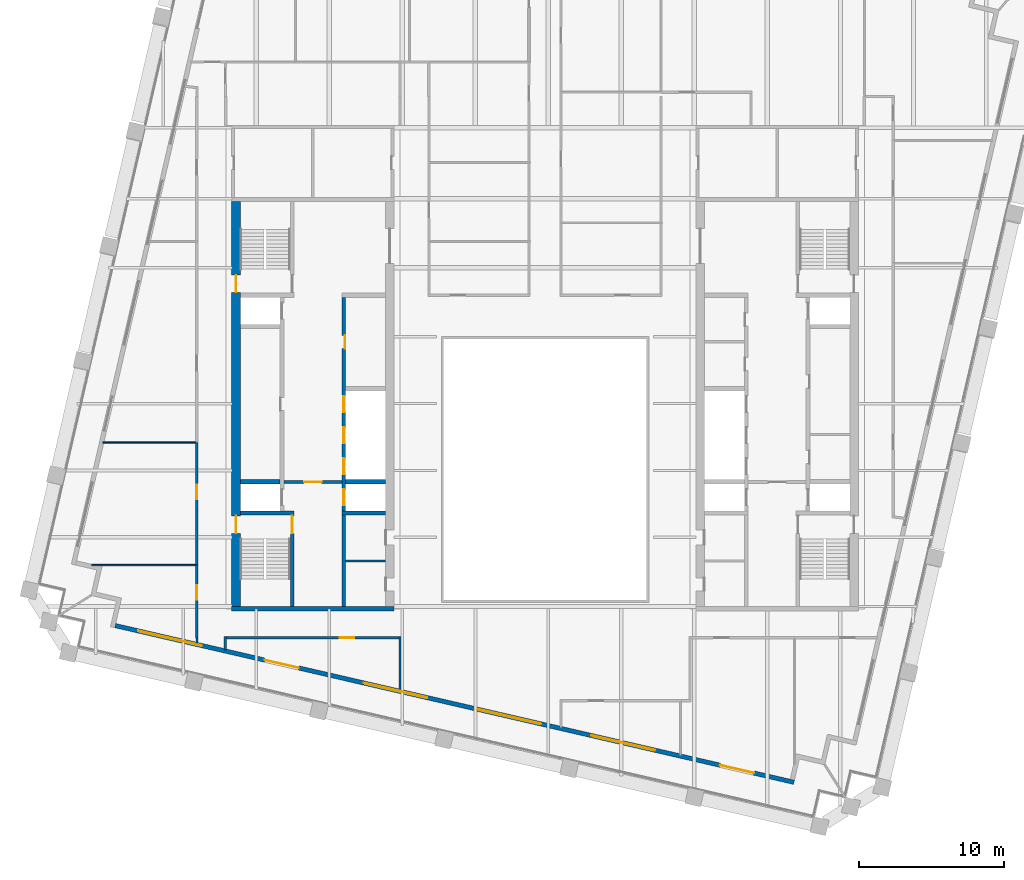
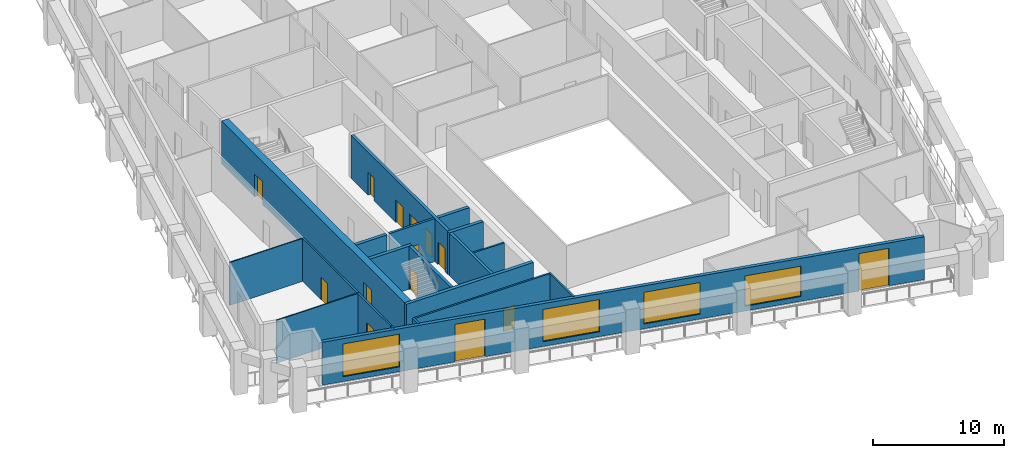
# One storey, part 4 of 11: 19 walls, 14 doors, 4 windows, 18 openings.
"""IFC4 building model written with IfcOpenShell, lengths in metres."""

from ifc_helpers import new_model, si_unit, direction, frame, frame_2d, origin, place, context, subcontext, project, spatial, rectangle, extrude, material, layer, layer_set, type_object, element, fill, save


model = new_model("IFC4")

# Units and contexts
model_context = context("Model", 3, precision=1e-05, world=origin(), true_north=direction((0.0, 1.0)))
body_context = subcontext(model_context, "Body", "Model", "MODEL_VIEW")
ifc_project = project(units=[si_unit("LENGTHUNIT", "METRE"), si_unit("AREAUNIT", "SQUARE_METRE"), si_unit("VOLUMEUNIT", "CUBIC_METRE"), si_unit("PLANEANGLEUNIT", "RADIAN"), si_unit("MASSUNIT", "GRAM", prefix="KILO")], contexts=[model_context])

# Site, building, storey
site_placement = place(None, origin())
site = spatial("IfcSite", under=ifc_project, at=site_placement, CompositionType="ELEMENT")
building_placement = place(site_placement, origin())
building = spatial("IfcBuilding", under=site, at=building_placement, Name="Ogive Exchange Tower", CompositionType="ELEMENT")
storey_placement = place(building_placement, frame((0.0, 0.0, 259.800048828125)))
storey = spatial("IfcBuildingStorey", under=building, at=storey_placement, Name="L56", CompositionType="ELEMENT", Elevation=259.800048828125)

# Wall
ifc_material_1 = material(Name="Gypsum board partition")
ifc_layer_1 = layer(ifc_material_1, 0.14990234375)
ifc_layer_set_1 = layer_set([ifc_layer_1], Name="Core room partition 150 gypsum")
wall_type_1 = type_object("IfcWallType", Name="Core room partition 150 gypsum", PredefinedType="PARTITIONING", material=ifc_layer_set_1)
wall_1_placement = place(storey_placement, frame((-13.75, 0.699951171875, 0.0), z_axis=(0.0, 0.0, 1.0), x_axis=(1.0, 0.0, 0.0)))
element("IfcWall", 1, at=wall_1_placement, inside=storey, type_object=wall_type_1, Name="W south room partition", PredefinedType="PARTITIONING", context=body_context, shape_type="SweptSolid", body=[
    extrude(rectangle(XDim=2.75, YDim=0.14990234375, at=frame_2d((1.375, 0.0))), origin(), (0.0, 0.0, 1.0), 4.0),
])

# Wall, opening, door
ifc_material_2 = material(Name="Fire partition EI 60 150")
ifc_layer_2 = layer(ifc_material_2, 0.14990234375)
ifc_layer_set_2 = layer_set([ifc_layer_2], Name="Fire partition EI 60 150")
wall_type_2 = type_object("IfcWallType", Name="Fire partition EI 60 150", PredefinedType="PARTITIONING", material=ifc_layer_set_2)
wall_2_placement = place(storey_placement, frame((-24.0, -4.60009765625, 0.0), z_axis=(0.0, 0.0, 1.0), x_axis=(0.0, 1.0, 0.0)))
wall_2 = element("IfcWall", 2, at=wall_2_placement, inside=storey, type_object=wall_type_2, Name="L56-PWL-003", PredefinedType="PARTITIONING", context=body_context, shape_type="SweptSolid", body=[
    extrude(rectangle(XDim=5.06005859375, YDim=0.14990234375, at=frame_2d((2.530029296875, 0.0))), origin(), (0.0, 0.0, 1.0), 4.0),
])
opening_1_placement = place(wall_2_placement, frame((2.610107421875, 0.0, 0.0)))
opening_1 = element("IfcOpeningElement", 3, at=opening_1_placement, cuts=wall_2, Name="Opening L56-I15", PredefinedType="OPENING", context=body_context, shape_type="SweptSolid", body=[
    extrude(rectangle(XDim=1.0, YDim=2.10009765625, at=frame_2d((0.5, 1.050048828125))), frame((0.0, 0.0849609375, 0.0), z_axis=(0.0, -1.0, 0.0), x_axis=(1.0, 0.0, 0.0)), (0.0, 0.0, 1.0), 0.169921875),
])
ifc_material_3 = material(Name="Fire door FD 30S 1000 x 2100")
door_type_1 = type_object("IfcDoorType", Name="Fire door FD 30S 1000 x 2100", OperationType="NOTDEFINED", PredefinedType="DOOR", material=ifc_material_3)
door_1_placement = place(opening_1_placement, origin())
door_1 = element("IfcDoor", 4, at=door_1_placement, inside=storey, type_object=door_type_1, Name="L56-IDR-015", ObjectType="DT3", OperationType="SINGLE_SWING_LEFT", OverallHeight=2.10009765625, OverallWidth=1.0, PredefinedType="DOOR", context=body_context, shape_type="SweptSolid", body=[
    extrude(rectangle(XDim=1.0, YDim=2.10009765625, at=frame_2d((0.5, 1.050048828125))), frame((0.0, 0.02490234375, 0.0), z_axis=(0.0, -1.0, 0.0), x_axis=(1.0, 0.0, 0.0)), (0.0, 0.0, 1.0), 0.050048828125),
])
fill(opening_1, door_1)

wall_3_placement = place(storey_placement, frame((-24.0, 0.409912109375, 0.0), z_axis=(0.0, 0.0, 1.0), x_axis=(0.0, 1.0, 0.0)))
wall_3 = element("IfcWall", 5, at=wall_3_placement, inside=storey, type_object=wall_type_2, Name="L56-PWL-005", PredefinedType="PARTITIONING", context=body_context, shape_type="SweptSolid", body=[
    extrude(rectangle(XDim=8.4501953125, YDim=0.14990234375, at=frame_2d((4.22509765625, 0.0))), origin(), (0.0, 0.0, 1.0), 4.0),
])
opening_2_placement = place(wall_3_placement, frame((4.550048828125, 0.0, 0.0)))
opening_2 = element("IfcOpeningElement", 6, at=opening_2_placement, cuts=wall_3, Name="Opening L56-I14", PredefinedType="OPENING", context=body_context, shape_type="SweptSolid", body=[
    extrude(rectangle(XDim=1.0, YDim=2.10009765625, at=frame_2d((0.5, 1.050048828125))), frame((0.0, 0.0849609375, 0.0), z_axis=(0.0, -1.0, 0.0), x_axis=(1.0, 0.0, 0.0)), (0.0, 0.0, 1.0), 0.169921875),
])
door_2_placement = place(opening_2_placement, origin())
door_2 = element("IfcDoor", 7, at=door_2_placement, inside=storey, type_object=door_type_1, Name="L56-IDR-014", ObjectType="DT3", OperationType="SINGLE_SWING_LEFT", OverallHeight=2.10009765625, OverallWidth=1.0, PredefinedType="DOOR", context=body_context, shape_type="SweptSolid", body=[
    extrude(rectangle(XDim=1.0, YDim=2.10009765625, at=frame_2d((0.5, 1.050048828125))), frame((0.0, 0.02490234375, 0.0), z_axis=(0.0, -1.0, 0.0), x_axis=(1.0, 0.0, 0.0)), (0.0, 0.0, 1.0), 0.050048828125),
])
fill(opening_2, door_2)

# Walls
wall_4_placement = place(storey_placement, frame((-23.989990234375, -4.986083984375, 0.0), z_axis=(0.0, 0.0, 1.0), x_axis=(0.0, 1.0, 0.0)))
element("IfcWall", 8, at=wall_4_placement, inside=storey, type_object=wall_type_2, Name="L56-PWL-009", PredefinedType="PARTITIONING", context=body_context, shape_type="SweptSolid", body=[
    extrude(rectangle(XDim=0.385986328125, YDim=0.14990234375, at=frame_2d((0.19287109375, 0.0))), origin(), (0.0, 0.0, 1.0), 4.0),
])
wall_5_placement = place(storey_placement, frame((-22.030029296875, -4.52490234375, 0.0), z_axis=(0.0, 0.0, 1.0), x_axis=(0.0, -1.0, 0.0)))
element("IfcWall", 9, at=wall_5_placement, inside=storey, type_object=wall_type_2, Name="L56-PWL-013", PredefinedType="PARTITIONING", context=body_context, shape_type="SweptSolid", body=[
    extrude(rectangle(XDim=0.9130859375, YDim=0.14990234375, at=frame_2d((0.45654296875, 0.0))), origin(), (0.0, 0.0, 1.0), 4.0),
])
wall_6_placement = place(storey_placement, frame((-10.0, -8.216064453125, 0.0), z_axis=(0.0, 0.0, 1.0), x_axis=(0.0, 1.0, 0.0)))
element("IfcWall", 10, at=wall_6_placement, inside=storey, type_object=wall_type_2, Name="L56-PWL-022", PredefinedType="PARTITIONING", context=body_context, shape_type="SweptSolid", body=[
    extrude(rectangle(XDim=3.691162109375, YDim=0.14990234375, at=frame_2d((1.845703125, 0.0))), origin(), (0.0, 0.0, 1.0), 4.0),
])

# Wall, opening, door
wall_7_placement = place(storey_placement, frame((-10.074951171875, -4.60009765625, 0.0), z_axis=(0.0, 0.0, 1.0), x_axis=(-1.0, 0.0, 0.0)))
wall_7 = element("IfcWall", 11, at=wall_7_placement, inside=storey, type_object=wall_type_2, Name="L56-PWL-023", PredefinedType="PARTITIONING", context=body_context, shape_type="SweptSolid", body=[
    extrude(rectangle(XDim=11.880126953125, YDim=0.14990234375, at=frame_2d((5.93994140625, 0.0))), origin(), (0.0, 0.0, 1.0), 4.0),
])
opening_3_placement = place(wall_7_placement, frame((3.054931640625, 0.0, 0.0)))
opening_3 = element("IfcOpeningElement", 12, at=opening_3_placement, cuts=wall_7, Name="Opening L56-I13", PredefinedType="OPENING", context=body_context, shape_type="SweptSolid", body=[
    extrude(rectangle(XDim=1.0, YDim=2.10009765625, at=frame_2d((0.5, 1.050048828125))), frame((0.0, 0.0849609375, 0.0), z_axis=(0.0, -1.0, 0.0), x_axis=(1.0, 0.0, 0.0)), (0.0, 0.0, 1.0), 0.169921875),
])
door_3_placement = place(opening_3_placement, origin())
door_3 = element("IfcDoor", 13, at=door_3_placement, inside=storey, type_object=door_type_1, Name="L56-IDR-013", ObjectType="DT3", OperationType="SINGLE_SWING_RIGHT", OverallHeight=2.10009765625, OverallWidth=1.0, PredefinedType="DOOR", context=body_context, shape_type="SweptSolid", body=[
    extrude(rectangle(XDim=1.0, YDim=2.10009765625, at=frame_2d((0.5, 1.050048828125))), frame((0.0, 0.02490234375, 0.0), z_axis=(0.0, -1.0, 0.0), x_axis=(1.0, 0.0, 0.0)), (0.0, 0.0, 1.0), 0.050048828125),
])
fill(opening_3, door_3)

# Wall, openings, doors, windows
ifc_material_4 = material(Name="Precast concrete C40/50", Category="concrete")
ifc_layer_3 = layer(ifc_material_4, 0.300048828125)
ifc_layer_set_3 = layer_set([ifc_layer_3], Name="Limestone-faced wall 300")
wall_type_3 = type_object("IfcWallType", Name="Limestone-faced wall 300", PredefinedType="STANDARD", material=ifc_layer_set_3)
wall_8_placement = place(storey_placement, frame((-29.6162109375, -3.75830078125, 0.0), z_axis=(0.0, 0.0, 1.0), x_axis=(0.974370532314, -0.224949029246, 0.0)))
wall_8 = element("IfcWall", 14, at=wall_8_placement, inside=storey, type_object=wall_type_3, Name="External wall S1", PredefinedType="STANDARD", context=body_context, shape_type="SweptSolid", body=[
    extrude(rectangle(XDim=48.000244140625, YDim=0.300048828125, at=frame_2d((24.0, 0.0))), origin(), (0.0, 0.0, 1.0), 4.0),
])
opening_4_placement = place(wall_8_placement, frame((1.625, 0.0, 0.449951171875)))
opening_4 = element("IfcOpeningElement", 15, at=opening_4_placement, cuts=wall_8, Name="Opening W1", PredefinedType="OPENING", context=body_context, shape_type="SweptSolid", body=[
    extrude(rectangle(XDim=4.5, YDim=3.050048828125, at=frame_2d((2.25, 1.52490234375))), frame((0.0, 0.159912109375, 0.0), z_axis=(0.0, -1.0, 0.0), x_axis=(1.0, 0.0, 0.0)), (0.0, 0.0, 1.0), 0.320068359375),
])
opening_5_placement = place(wall_8_placement, frame((10.574951171875, 0.0, 0.0)))
opening_5 = element("IfcOpeningElement", 16, at=opening_5_placement, cuts=wall_8, Name="Opening D1", PredefinedType="OPENING", context=body_context, shape_type="SweptSolid", body=[
    extrude(rectangle(XDim=2.39990234375, YDim=3.5, at=frame_2d((1.199951171875, 1.75))), frame((0.0, 0.159912109375, 0.0), z_axis=(0.0, -1.0, 0.0), x_axis=(1.0, 0.0, 0.0)), (0.0, 0.0, 1.0), 0.320068359375),
])
opening_6_placement = place(wall_8_placement, frame((17.574951171875, 0.0, 0.449951171875)))
opening_6 = element("IfcOpeningElement", 17, at=opening_6_placement, cuts=wall_8, Name="Opening W1A", PredefinedType="OPENING", context=body_context, shape_type="SweptSolid", body=[
    extrude(rectangle(XDim=4.5, YDim=3.0, at=frame_2d((2.25, 1.5))), frame((0.0, 0.159912109375, 0.0), z_axis=(0.0, -1.0, 0.0), x_axis=(1.0, 0.0, 0.0)), (0.0, 0.0, 1.0), 0.320068359375),
])
opening_7_placement = place(wall_8_placement, frame((25.625, 0.0, 0.449951171875)))
opening_7 = element("IfcOpeningElement", 18, at=opening_7_placement, cuts=wall_8, Name="Opening W1B", PredefinedType="OPENING", context=body_context, shape_type="SweptSolid", body=[
    extrude(rectangle(XDim=4.5, YDim=2.949951171875, at=frame_2d((2.25, 1.47509765625))), frame((0.0, 0.159912109375, 0.0), z_axis=(0.0, -1.0, 0.0), x_axis=(1.0, 0.0, 0.0)), (0.0, 0.0, 1.0), 0.320068359375),
])
opening_8_placement = place(wall_8_placement, frame((33.675048828125, 0.0, 0.449951171875)))
opening_8 = element("IfcOpeningElement", 19, at=opening_8_placement, cuts=wall_8, Name="Opening W1E", PredefinedType="OPENING", context=body_context, shape_type="SweptSolid", body=[
    extrude(rectangle(XDim=4.5, YDim=2.824951171875, at=frame_2d((2.25, 1.41259765625))), frame((0.0, 0.159912109375, 0.0), z_axis=(0.0, -1.0, 0.0), x_axis=(1.0, 0.0, 0.0)), (0.0, 0.0, 1.0), 0.320068359375),
])
opening_9_placement = place(wall_8_placement, frame((42.77490234375, 0.0, 0.0)))
opening_9 = element("IfcOpeningElement", 20, at=opening_9_placement, cuts=wall_8, Name="Opening D1", PredefinedType="OPENING", context=body_context, shape_type="SweptSolid", body=[
    extrude(rectangle(XDim=2.39990234375, YDim=3.5, at=frame_2d((1.199951171875, 1.75))), frame((0.0, 0.159912109375, 0.0), z_axis=(0.0, -1.0, 0.0), x_axis=(1.0, 0.0, 0.0)), (0.0, 0.0, 1.0), 0.320068359375),
])
ifc_material_5 = material(Name="Clear glass in bronze frame", Category="glass")
door_type_2 = type_object("IfcDoorType", Name="Sliding loggia door 2400 x 3500", OperationType="DOUBLE_DOOR_SLIDING", PredefinedType="DOOR", material=ifc_material_5)
door_4_placement = place(opening_5_placement, origin())
door_4 = element("IfcDoor", 21, at=door_4_placement, inside=storey, type_object=door_type_2, Name="Loggia door S01", OperationType="DOUBLE_DOOR_SLIDING", OverallHeight=3.5, OverallWidth=2.39990234375, PredefinedType="DOOR", context=body_context, shape_type="SweptSolid", body=[
    extrude(rectangle(XDim=2.39990234375, YDim=3.5, at=frame_2d((1.199951171875, 1.75))), frame((0.0, 0.02490234375, 0.0), z_axis=(0.0, -1.0, 0.0), x_axis=(1.0, 0.0, 0.0)), (0.0, 0.0, 1.0), 0.050048828125),
])
fill(opening_5, door_4)
door_5_placement = place(opening_9_placement, origin())
door_5 = element("IfcDoor", 22, at=door_5_placement, inside=storey, type_object=door_type_2, Name="Loggia door S05", OperationType="DOUBLE_DOOR_SLIDING", OverallHeight=3.5, OverallWidth=2.39990234375, PredefinedType="DOOR", context=body_context, shape_type="SweptSolid", body=[
    extrude(rectangle(XDim=2.39990234375, YDim=3.5, at=frame_2d((1.199951171875, 1.75))), frame((0.0, 0.02490234375, 0.0), z_axis=(0.0, -1.0, 0.0), x_axis=(1.0, 0.0, 0.0)), (0.0, 0.0, 1.0), 0.050048828125),
])
fill(opening_9, door_5)
window_type_1 = type_object("IfcWindowType", Name="Twin lancet window 4500 x 2825", PartitioningType="DOUBLE_PANEL_VERTICAL", PredefinedType="WINDOW", material=ifc_material_5)
window_1_placement = place(opening_8_placement, origin())
window_1 = element("IfcWindow", 23, at=window_1_placement, inside=storey, type_object=window_type_1, Name="Window S04", OverallHeight=2.824951171875, OverallWidth=4.5, PartitioningType="DOUBLE_PANEL_VERTICAL", PredefinedType="WINDOW", context=body_context, shape_type="SweptSolid", body=[
    extrude(rectangle(XDim=4.5, YDim=2.824951171875, at=frame_2d((2.25, 1.41259765625))), frame((0.0, 0.030029296875, 0.0), z_axis=(0.0, -1.0, 0.0), x_axis=(1.0, 0.0, 0.0)), (0.0, 0.0, 1.0), 0.06005859375),
])
fill(opening_8, window_1)
window_type_2 = type_object("IfcWindowType", Name="Twin lancet window 4500 x 2950", PartitioningType="DOUBLE_PANEL_VERTICAL", PredefinedType="WINDOW", material=ifc_material_5)
window_2_placement = place(opening_7_placement, origin())
window_2 = element("IfcWindow", 24, at=window_2_placement, inside=storey, type_object=window_type_2, Name="Window S03", OverallHeight=2.949951171875, OverallWidth=4.5, PartitioningType="DOUBLE_PANEL_VERTICAL", PredefinedType="WINDOW", context=body_context, shape_type="SweptSolid", body=[
    extrude(rectangle(XDim=4.5, YDim=2.949951171875, at=frame_2d((2.25, 1.47509765625))), frame((0.0, 0.030029296875, 0.0), z_axis=(0.0, -1.0, 0.0), x_axis=(1.0, 0.0, 0.0)), (0.0, 0.0, 1.0), 0.06005859375),
])
fill(opening_7, window_2)
window_type_3 = type_object("IfcWindowType", Name="Twin lancet window 4500 x 3000", PartitioningType="DOUBLE_PANEL_VERTICAL", PredefinedType="WINDOW", material=ifc_material_5)
window_3_placement = place(opening_6_placement, origin())
window_3 = element("IfcWindow", 25, at=window_3_placement, inside=storey, type_object=window_type_3, Name="Window S02", OverallHeight=3.0, OverallWidth=4.5, PartitioningType="DOUBLE_PANEL_VERTICAL", PredefinedType="WINDOW", context=body_context, shape_type="SweptSolid", body=[
    extrude(rectangle(XDim=4.5, YDim=3.0, at=frame_2d((2.25, 1.5))), frame((0.0, 0.030029296875, 0.0), z_axis=(0.0, -1.0, 0.0), x_axis=(1.0, 0.0, 0.0)), (0.0, 0.0, 1.0), 0.06005859375),
])
fill(opening_6, window_3)
window_type_4 = type_object("IfcWindowType", Name="Twin lancet window 4500 x 3050", PartitioningType="DOUBLE_PANEL_VERTICAL", PredefinedType="WINDOW", material=ifc_material_5)
window_4_placement = place(opening_4_placement, origin())
window_4 = element("IfcWindow", 26, at=window_4_placement, inside=storey, type_object=window_type_4, Name="Window S00", OverallHeight=3.050048828125, OverallWidth=4.5, PartitioningType="DOUBLE_PANEL_VERTICAL", PredefinedType="WINDOW", context=body_context, shape_type="SweptSolid", body=[
    extrude(rectangle(XDim=4.5, YDim=3.050048828125, at=frame_2d((2.25, 1.52490234375))), frame((0.0, 0.030029296875, 0.0), z_axis=(0.0, -1.0, 0.0), x_axis=(1.0, 0.0, 0.0)), (0.0, 0.0, 1.0), 0.06005859375),
])
fill(opening_4, window_4)

# Walls
ifc_material_6 = material(Name="Partition 100 gypsum")
ifc_layer_4 = layer(ifc_material_6, 0.10009765625)
ifc_layer_set_4 = layer_set([ifc_layer_4], Name="Partition 100 gypsum")
wall_type_4 = type_object("IfcWallType", Name="Partition 100 gypsum", PredefinedType="PARTITIONING", material=ifc_layer_set_4)
wall_9_placement = place(storey_placement, frame((-24.074951171875, 0.409912109375, 0.0), z_axis=(0.0, 0.0, 1.0), x_axis=(-1.0, 0.0, 0.0)))
element("IfcWall", 27, at=wall_9_placement, inside=storey, type_object=wall_type_4, Name="L56-PWL-004", PredefinedType="PARTITIONING", context=body_context, shape_type="SweptSolid", body=[
    extrude(rectangle(XDim=7.170166015625, YDim=0.10009765625, at=frame_2d((3.5849609375, 0.0))), origin(), (0.0, 0.0, 1.0), 4.0),
])
wall_10_placement = place(storey_placement, frame((-24.074951171875, 8.860107421875, 0.0), z_axis=(0.0, 0.0, 1.0), x_axis=(-1.0, 0.0, 0.0)))
element("IfcWall", 28, at=wall_10_placement, inside=storey, type_object=wall_type_4, Name="L56-PWL-006", PredefinedType="PARTITIONING", context=body_context, shape_type="SweptSolid", body=[
    extrude(rectangle(XDim=6.405029296875, YDim=0.10009765625, at=frame_2d((3.20263671875, 0.0))), origin(), (0.0, 0.0, 1.0), 4.0),
])

# Wall, opening, door
ifc_material_7 = material(Name="Concrete C70/85", Category="concrete")
ifc_layer_5 = layer(ifc_material_7, 0.199951171875)
ifc_layer_set_5 = layer_set([ifc_layer_5], Name="RC core wall 200 C70/85")
wall_type_5 = type_object("IfcWallType", Name="RC core wall 200 C70/85", PredefinedType="SHEAR", material=ifc_layer_set_5)
wall_11_placement = place(storey_placement, frame((-18.0, 6.142822265625, 0.0), z_axis=(0.0, 0.0, 1.0), x_axis=(1.0, 0.0, 0.0)))
wall_11 = element("IfcWall", 29, at=wall_11_placement, inside=storey, type_object=wall_type_5, Name="W firefighting lobby wall", PredefinedType="SHEAR", context=body_context, shape_type="SweptSolid", body=[
    extrude(rectangle(XDim=4.0, YDim=0.199951171875, at=frame_2d((2.0, 0.0))), origin(), (0.0, 0.0, 1.0), 4.0),
])
opening_10_placement = place(wall_11_placement, frame((1.39990234375, 0.0, 0.0)))
opening_10 = element("IfcOpeningElement", 30, at=opening_10_placement, cuts=wall_11, Name="Opening L56-C09", PredefinedType="OPENING", context=body_context, shape_type="SweptSolid", body=[
    extrude(rectangle(XDim=1.199951171875, YDim=2.10009765625, at=frame_2d((0.60009765625, 1.050048828125))), frame((0.0, 0.10986328125, 0.0), z_axis=(0.0, -1.0, 0.0), x_axis=(1.0, 0.0, 0.0)), (0.0, 0.0, 1.0), 0.219970703125),
])
ifc_material_8 = material(Name="Steel fire door", Category="steel")
door_type_3 = type_object("IfcDoorType", Name="Firefighting lobby door FD60 1200 x 2100", OperationType="NOTDEFINED", PredefinedType="DOOR", material=ifc_material_8)
door_6_placement = place(opening_10_placement, frame((1.199951171875, 0.0, 0.0), z_axis=(0.0, 0.0, 1.0), x_axis=(-1.0, 0.0, 0.0)))
door_6 = element("IfcDoor", 31, at=door_6_placement, inside=storey, type_object=door_type_3, Name="Firefighting lobby door", ObjectType="CD3", OperationType="SINGLE_SWING_LEFT", OverallHeight=2.10009765625, OverallWidth=1.199951171875, PredefinedType="DOOR", context=body_context, shape_type="SweptSolid", body=[
    extrude(rectangle(XDim=1.199951171875, YDim=2.10009765625, at=frame_2d((0.60009765625, 1.050048828125))), frame((0.0, 0.02490234375, 0.0), z_axis=(0.0, -1.0, 0.0), x_axis=(1.0, 0.0, 0.0)), (0.0, 0.0, 1.0), 0.050048828125),
])
fill(opening_10, door_6)

ifc_layer_6 = layer(ifc_material_7, 0.25)
ifc_layer_set_6 = layer_set([ifc_layer_6], Name="RC core wall 250 C70/85")
wall_type_6 = type_object("IfcWallType", Name="RC core wall 250 C70/85", PredefinedType="SHEAR", material=ifc_layer_set_6)
wall_12_placement = place(storey_placement, frame((-17.425048828125, -2.449951171875, 0.0), z_axis=(0.0, 0.0, 1.0), x_axis=(0.0, 1.0, 0.0)))
wall_12 = element("IfcWall", 32, at=wall_12_placement, inside=storey, type_object=wall_type_6, Name="W stair S front wall", PredefinedType="SHEAR", context=body_context, shape_type="SweptSolid", body=[
    extrude(rectangle(XDim=6.300048828125, YDim=0.25, at=frame_2d((3.14990234375, 0.0))), origin(), (0.0, 0.0, 1.0), 4.0),
])
opening_11_placement = place(wall_12_placement, frame((5.050048828125, 0.0, 0.0)))
opening_11 = element("IfcOpeningElement", 33, at=opening_11_placement, cuts=wall_12, Name="Opening L56-C11", PredefinedType="OPENING", context=body_context, shape_type="SweptSolid", body=[
    extrude(rectangle(XDim=1.199951171875, YDim=2.10009765625, at=frame_2d((0.60009765625, 1.050048828125))), frame((0.0, 0.135009765625, 0.0), z_axis=(0.0, -1.0, 0.0), x_axis=(1.0, 0.0, 0.0)), (0.0, 0.0, 1.0), 0.27001953125),
])
door_type_4 = type_object("IfcDoorType", Name="Stair door FD90 1200 x 2100", OperationType="NOTDEFINED", PredefinedType="DOOR", material=ifc_material_8)
door_7_placement = place(opening_11_placement, origin())
door_7 = element("IfcDoor", 34, at=door_7_placement, inside=storey, type_object=door_type_4, Name="Stair door", ObjectType="CD5", OperationType="SINGLE_SWING_LEFT", OverallHeight=2.10009765625, OverallWidth=1.199951171875, PredefinedType="DOOR", context=body_context, shape_type="SweptSolid", body=[
    extrude(rectangle(XDim=1.199951171875, YDim=2.10009765625, at=frame_2d((0.60009765625, 1.050048828125))), frame((0.0, 0.02490234375, 0.0), z_axis=(0.0, -1.0, 0.0), x_axis=(1.0, 0.0, 0.0)), (0.0, 0.0, 1.0), 0.050048828125),
])
fill(opening_11, door_7)

# Wall, openings, doors
wall_13_placement = place(storey_placement, frame((-13.875, -2.449951171875, 0.0), z_axis=(0.0, 0.0, 1.0), x_axis=(0.0, 1.0, 0.0)))
wall_13 = element("IfcWall", 35, at=wall_13_placement, inside=storey, type_object=wall_type_6, Name="W row B front wall", PredefinedType="SHEAR", context=body_context, shape_type="SweptSolid", body=[
    extrude(rectangle(XDim=21.300048828125, YDim=0.25, at=frame_2d((10.64990234375, 0.0))), origin(), (0.0, 0.0, 1.0), 4.0),
])
opening_12_placement = place(wall_13_placement, frame((17.78564453125, 0.0, 0.0)))
opening_12 = element("IfcOpeningElement", 36, at=opening_12_placement, cuts=wall_13, Name="Opening L56-C04", PredefinedType="OPENING", context=body_context, shape_type="SweptSolid", body=[
    extrude(rectangle(XDim=0.89990234375, YDim=2.10009765625, at=frame_2d((0.449951171875, 1.050048828125))), frame((0.0, 0.135009765625, 0.0), z_axis=(0.0, -1.0, 0.0), x_axis=(1.0, 0.0, 0.0)), (0.0, 0.0, 1.0), 0.27001953125),
])
opening_13_placement = place(wall_13_placement, frame((6.971435546875, 0.0, 0.0)))
opening_13 = element("IfcOpeningElement", 37, at=opening_13_placement, cuts=wall_13, Name="Opening L56-C05", PredefinedType="OPENING", context=body_context, shape_type="SweptSolid", body=[
    extrude(rectangle(XDim=1.10009765625, YDim=2.10009765625, at=frame_2d((0.550048828125, 1.050048828125))), frame((0.0, 0.135009765625, 0.0), z_axis=(0.0, -1.0, 0.0), x_axis=(1.0, 0.0, 0.0)), (0.0, 0.0, 1.0), 0.27001953125),
])
opening_14_placement = place(wall_13_placement, frame((9.1142578125, 0.0, 0.0)))
opening_14 = element("IfcOpeningElement", 38, at=opening_14_placement, cuts=wall_13, Name="Opening L56-C06", PredefinedType="OPENING", context=body_context, shape_type="SweptSolid", body=[
    extrude(rectangle(XDim=1.10009765625, YDim=2.10009765625, at=frame_2d((0.550048828125, 1.050048828125))), frame((0.0, 0.135009765625, 0.0), z_axis=(0.0, -1.0, 0.0), x_axis=(1.0, 0.0, 0.0)), (0.0, 0.0, 1.0), 0.27001953125),
])
opening_15_placement = place(wall_13_placement, frame((11.257080078125, 0.0, 0.0)))
opening_15 = element("IfcOpeningElement", 39, at=opening_15_placement, cuts=wall_13, Name="Opening L56-C07", PredefinedType="OPENING", context=body_context, shape_type="SweptSolid", body=[
    extrude(rectangle(XDim=1.10009765625, YDim=2.10009765625, at=frame_2d((0.550048828125, 1.050048828125))), frame((0.0, 0.135009765625, 0.0), z_axis=(0.0, -1.0, 0.0), x_axis=(1.0, 0.0, 0.0)), (0.0, 0.0, 1.0), 0.27001953125),
])
opening_16_placement = place(wall_13_placement, frame((13.39990234375, 0.0, 0.0)))
opening_16 = element("IfcOpeningElement", 40, at=opening_16_placement, cuts=wall_13, Name="Opening L56-C08", PredefinedType="OPENING", context=body_context, shape_type="SweptSolid", body=[
    extrude(rectangle(XDim=1.10009765625, YDim=2.10009765625, at=frame_2d((0.550048828125, 1.050048828125))), frame((0.0, 0.135009765625, 0.0), z_axis=(0.0, -1.0, 0.0), x_axis=(1.0, 0.0, 0.0)), (0.0, 0.0, 1.0), 0.27001953125),
])
ifc_material_9 = material(Name="Stainless steel", Category="steel")
door_type_5 = type_object("IfcDoorType", Name="Lift landing door FD90 1100 x 2100", OperationType="SLIDING_TO_LEFT", PredefinedType="DOOR", material=ifc_material_9)
door_8_placement = place(opening_13_placement, origin())
door_8 = element("IfcDoor", 41, at=door_8_placement, inside=storey, type_object=door_type_5, Name="Lift landing door SV1", ObjectType="LD", OperationType="SLIDING_TO_LEFT", OverallHeight=2.10009765625, OverallWidth=1.10009765625, PredefinedType="DOOR", context=body_context, shape_type="SweptSolid", body=[
    extrude(rectangle(XDim=1.10009765625, YDim=2.10009765625, at=frame_2d((0.550048828125, 1.050048828125))), frame((0.0, 0.02490234375, 0.0), z_axis=(0.0, -1.0, 0.0), x_axis=(1.0, 0.0, 0.0)), (0.0, 0.0, 1.0), 0.050048828125),
])
fill(opening_13, door_8)
door_9_placement = place(opening_14_placement, origin())
door_9 = element("IfcDoor", 42, at=door_9_placement, inside=storey, type_object=door_type_5, Name="Lift landing door W-M1", ObjectType="LD", OperationType="SLIDING_TO_LEFT", OverallHeight=2.10009765625, OverallWidth=1.10009765625, PredefinedType="DOOR", context=body_context, shape_type="SweptSolid", body=[
    extrude(rectangle(XDim=1.10009765625, YDim=2.10009765625, at=frame_2d((0.550048828125, 1.050048828125))), frame((0.0, 0.02490234375, 0.0), z_axis=(0.0, -1.0, 0.0), x_axis=(1.0, 0.0, 0.0)), (0.0, 0.0, 1.0), 0.050048828125),
])
fill(opening_14, door_9)
door_10_placement = place(opening_15_placement, origin())
door_10 = element("IfcDoor", 43, at=door_10_placement, inside=storey, type_object=door_type_5, Name="Lift landing door W-M2", ObjectType="LD", OperationType="SLIDING_TO_LEFT", OverallHeight=2.10009765625, OverallWidth=1.10009765625, PredefinedType="DOOR", context=body_context, shape_type="SweptSolid", body=[
    extrude(rectangle(XDim=1.10009765625, YDim=2.10009765625, at=frame_2d((0.550048828125, 1.050048828125))), frame((0.0, 0.02490234375, 0.0), z_axis=(0.0, -1.0, 0.0), x_axis=(1.0, 0.0, 0.0)), (0.0, 0.0, 1.0), 0.050048828125),
])
fill(opening_15, door_10)
door_11_placement = place(opening_16_placement, origin())
door_11 = element("IfcDoor", 44, at=door_11_placement, inside=storey, type_object=door_type_5, Name="Lift landing door W-M3", ObjectType="LD", OperationType="SLIDING_TO_LEFT", OverallHeight=2.10009765625, OverallWidth=1.10009765625, PredefinedType="DOOR", context=body_context, shape_type="SweptSolid", body=[
    extrude(rectangle(XDim=1.10009765625, YDim=2.10009765625, at=frame_2d((0.550048828125, 1.050048828125))), frame((0.0, 0.02490234375, 0.0), z_axis=(0.0, -1.0, 0.0), x_axis=(1.0, 0.0, 0.0)), (0.0, 0.0, 1.0), 0.050048828125),
])
fill(opening_16, door_11)
door_type_6 = type_object("IfcDoorType", Name="Riser door FD60 900 x 2100", OperationType="NOTDEFINED", PredefinedType="DOOR", material=ifc_material_8)
door_12_placement = place(opening_12_placement, frame((0.89990234375, -0.2001953125, 0.0), z_axis=(0.0, 0.0, 1.0), x_axis=(-1.0, 0.0, 0.0)))
door_12 = element("IfcDoor", 45, at=door_12_placement, inside=storey, type_object=door_type_6, Name="Riser door", ObjectType="CD2", OperationType="SINGLE_SWING_RIGHT", OverallHeight=2.10009765625, OverallWidth=0.89990234375, PredefinedType="DOOR", context=body_context, shape_type="SweptSolid", body=[
    extrude(rectangle(XDim=0.89990234375, YDim=2.10009765625, at=frame_2d((0.449951171875, 1.050048828125))), frame((0.0, -0.0751953125, 0.0), z_axis=(0.0, -1.0, 0.0), x_axis=(1.0, 0.0, 0.0)), (0.0, 0.0, 1.0), 0.050048828125),
])
fill(opening_12, door_12)

# Walls
ifc_layer_7 = layer(ifc_material_7, 0.300048828125)
ifc_layer_set_7 = layer_set([ifc_layer_7], Name="RC core wall 300 C70/85")
wall_type_7 = type_object("IfcWallType", Name="RC core wall 300 C70/85", PredefinedType="SHEAR", material=ifc_layer_set_7)
wall_14_placement = place(storey_placement, frame((-21.60009765625, -2.60009765625, 0.0), z_axis=(0.0, 0.0, 1.0), x_axis=(1.0, 0.0, 0.0)))
element("IfcWall", 46, at=wall_14_placement, inside=storey, type_object=wall_type_7, Name="W south end wall", PredefinedType="SHEAR", context=body_context, shape_type="SweptSolid", body=[
    extrude(rectangle(XDim=11.2001953125, YDim=0.300048828125, at=frame_2d((5.60009765625, 0.0))), origin(), (0.0, 0.0, 1.0), 4.0),
])
wall_15_placement = place(storey_placement, frame((-21.0, 4.0, 0.0), z_axis=(0.0, 0.0, 1.0), x_axis=(1.0, 0.0, 0.0)))
element("IfcWall", 47, at=wall_15_placement, inside=storey, type_object=wall_type_7, Name="W stair S north wall", PredefinedType="SHEAR", context=body_context, shape_type="SweptSolid", body=[
    extrude(rectangle(XDim=3.699951171875, YDim=0.300048828125, at=frame_2d((1.85009765625, 0.0))), origin(), (0.0, 0.0, 1.0), 4.0),
])
wall_16_placement = place(storey_placement, frame((-21.0, 6.142822265625, 0.0), z_axis=(0.0, 0.0, 1.0), x_axis=(1.0, 0.0, 0.0)))
element("IfcWall", 48, at=wall_16_placement, inside=storey, type_object=wall_type_7, Name="W row A divider 1", PredefinedType="SHEAR", context=body_context, shape_type="SweptSolid", body=[
    extrude(rectangle(XDim=2.75, YDim=0.300048828125, at=frame_2d((1.375, 0.0))), origin(), (0.0, 0.0, 1.0), 4.0),
])
wall_17_placement = place(storey_placement, frame((-14.0, 4.0, 0.0), z_axis=(0.0, 0.0, 1.0), x_axis=(1.0, 0.0, 0.0)))
element("IfcWall", 49, at=wall_17_placement, inside=storey, type_object=wall_type_7, Name="W row B divider 0", PredefinedType="SHEAR", context=body_context, shape_type="SweptSolid", body=[
    extrude(rectangle(XDim=3.0, YDim=0.300048828125, at=frame_2d((1.5, 0.0))), origin(), (0.0, 0.0, 1.0), 4.0),
])
wall_18_placement = place(storey_placement, frame((-13.75, 6.142822265625, 0.0), z_axis=(0.0, 0.0, 1.0), x_axis=(1.0, 0.0, 0.0)))
element("IfcWall", 50, at=wall_18_placement, inside=storey, type_object=wall_type_7, Name="W row B divider 1", PredefinedType="SHEAR", context=body_context, shape_type="SweptSolid", body=[
    extrude(rectangle(XDim=2.75, YDim=0.300048828125, at=frame_2d((1.375, 0.0))), origin(), (0.0, 0.0, 1.0), 4.0),
])

# Wall, openings, doors
ifc_layer_8 = layer(ifc_material_7, 0.60009765625)
ifc_layer_set_8 = layer_set([ifc_layer_8], Name="RC core wall 600 C70/85")
wall_type_8 = type_object("IfcWallType", Name="RC core wall 600 C70/85", PredefinedType="SHEAR", material=ifc_layer_set_8)
wall_19_placement = place(storey_placement, frame((-21.300048828125, -2.449951171875, 0.0), z_axis=(0.0, 0.0, 1.0), x_axis=(0.0, 1.0, 0.0)))
wall_19 = element("IfcWall", 51, at=wall_19_placement, inside=storey, type_object=wall_type_8, Name="W outer wall", PredefinedType="SHEAR", context=body_context, shape_type="SweptSolid", body=[
    extrude(rectangle(XDim=27.89990234375, YDim=0.60009765625, at=frame_2d((13.949951171875, 0.0))), origin(), (0.0, 0.0, 1.0), 4.0),
])
opening_17_placement = place(wall_19_placement, frame((5.050048828125, 0.0, 0.0)))
opening_17 = element("IfcOpeningElement", 52, at=opening_17_placement, cuts=wall_19, Name="Opening L56-C12", PredefinedType="OPENING", context=body_context, shape_type="SweptSolid", body=[
    extrude(rectangle(XDim=1.199951171875, YDim=2.10009765625, at=frame_2d((0.60009765625, 1.050048828125))), frame((0.0, 0.31005859375, 0.0), z_axis=(0.0, -1.0, 0.0), x_axis=(1.0, 0.0, 0.0)), (0.0, 0.0, 1.0), 0.6201171875),
])
opening_18_placement = place(wall_19_placement, frame((21.64990234375, 0.0, 0.0)))
opening_18 = element("IfcOpeningElement", 53, at=opening_18_placement, cuts=wall_19, Name="Opening L56-C14", PredefinedType="OPENING", context=body_context, shape_type="SweptSolid", body=[
    extrude(rectangle(XDim=1.199951171875, YDim=2.10009765625, at=frame_2d((0.60009765625, 1.050048828125))), frame((0.0, 0.31005859375, 0.0), z_axis=(0.0, -1.0, 0.0), x_axis=(1.0, 0.0, 0.0)), (0.0, 0.0, 1.0), 0.6201171875),
])
door_13_placement = place(opening_17_placement, origin())
door_13 = element("IfcDoor", 54, at=door_13_placement, inside=storey, type_object=door_type_4, Name="Stair door", ObjectType="CD5", OperationType="SINGLE_SWING_LEFT", OverallHeight=2.10009765625, OverallWidth=1.199951171875, PredefinedType="DOOR", context=body_context, shape_type="SweptSolid", body=[
    extrude(rectangle(XDim=1.199951171875, YDim=2.10009765625, at=frame_2d((0.60009765625, 1.050048828125))), frame((0.0, 0.02490234375, 0.0), z_axis=(0.0, -1.0, 0.0), x_axis=(1.0, 0.0, 0.0)), (0.0, 0.0, 1.0), 0.050048828125),
])
fill(opening_17, door_13)
door_14_placement = place(opening_18_placement, origin())
door_14 = element("IfcDoor", 55, at=door_14_placement, inside=storey, type_object=door_type_4, Name="Stair door", ObjectType="CD5", OperationType="SINGLE_SWING_RIGHT", OverallHeight=2.10009765625, OverallWidth=1.199951171875, PredefinedType="DOOR", context=body_context, shape_type="SweptSolid", body=[
    extrude(rectangle(XDim=1.199951171875, YDim=2.10009765625, at=frame_2d((0.60009765625, 1.050048828125))), frame((0.0, 0.02490234375, 0.0), z_axis=(0.0, -1.0, 0.0), x_axis=(1.0, 0.0, 0.0)), (0.0, 0.0, 1.0), 0.050048828125),
])
fill(opening_18, door_14)

save(model, "model.ifc")
